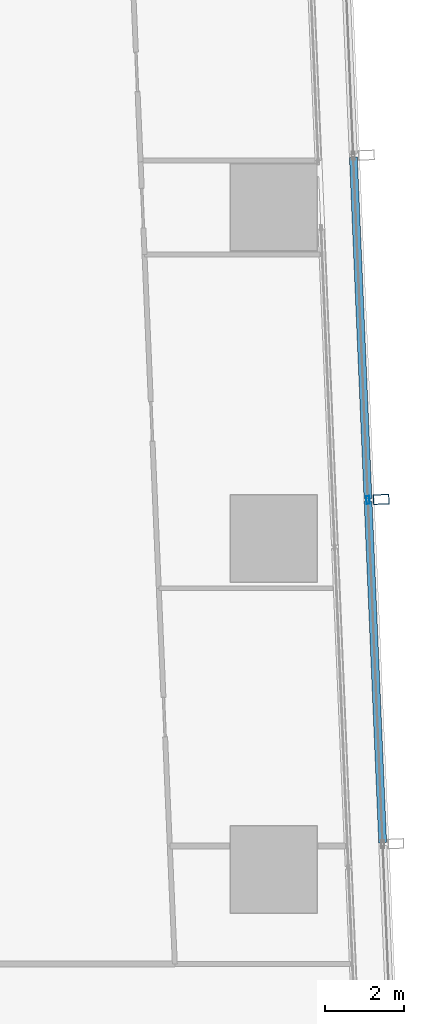
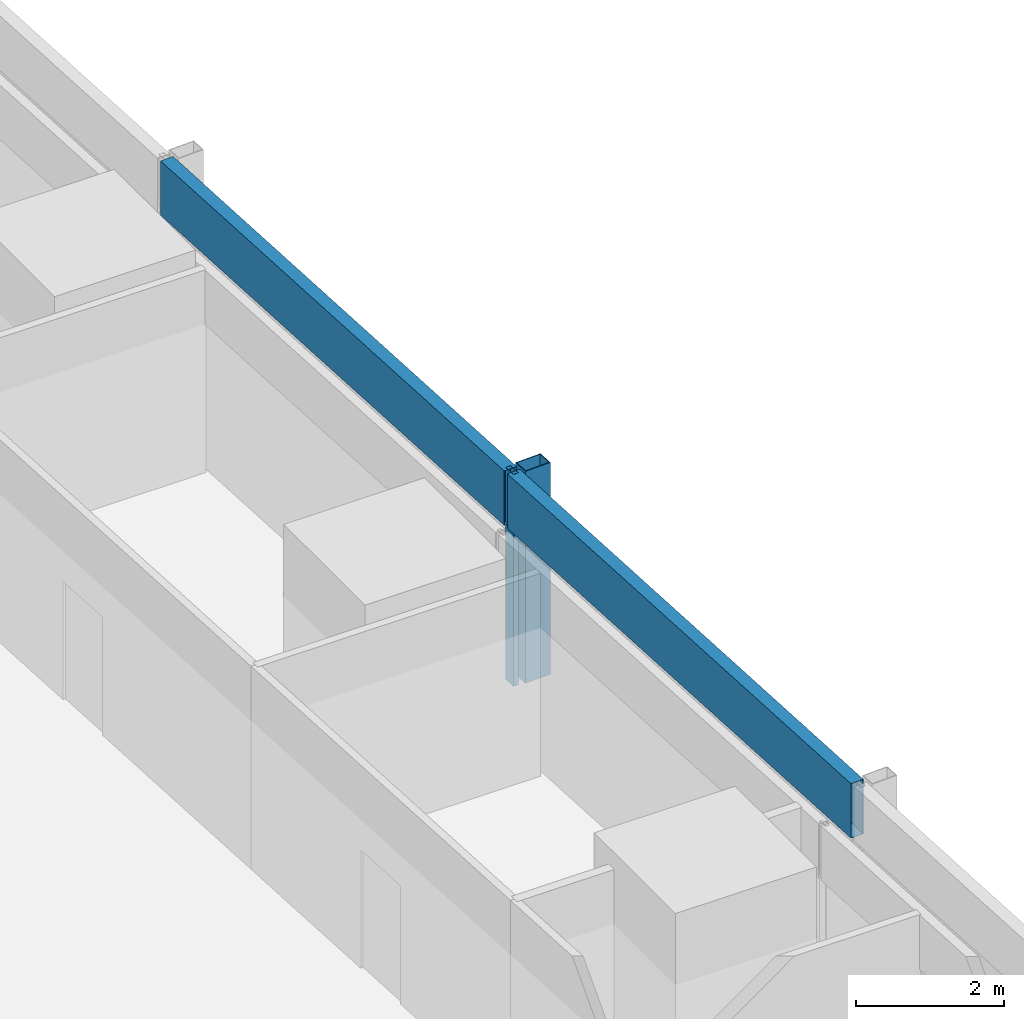
# One storey, part 28 of 45: 4 members, 1 element without a shape of its own.
"""IFC4 building model written with IfcOpenShell, lengths in metres."""

from ifc_helpers import new_model, si_unit, direction, frame, origin, origin_2d, place, context, subcontext, project, spatial, hollow_rectangle, extrude, material, material_profile, profile_set, type_object, element, aggregate, save


model = new_model("IFC4")

# Units and contexts
model_context = context("Model", 3, precision=1e-05, world=origin(), true_north=direction((0.0, 1.0)))
body_context = subcontext(model_context, "Body", "Model", "MODEL_VIEW")
ifc_project = project(units=[si_unit("LENGTHUNIT", "METRE"), si_unit("AREAUNIT", "SQUARE_METRE"), si_unit("VOLUMEUNIT", "CUBIC_METRE"), si_unit("PLANEANGLEUNIT", "RADIAN"), si_unit("MASSUNIT", "GRAM", prefix="KILO")], contexts=[model_context])

# Site, building, storey
site_placement = place(None, origin())
site = spatial("IfcSite", under=ifc_project, at=site_placement, CompositionType="ELEMENT")
building_placement = place(site_placement, origin())
building = spatial("IfcBuilding", under=site, at=building_placement, Name="Rekha Terrace Tower", CompositionType="ELEMENT")
storey_placement = place(building_placement, frame((0.0, 0.0, 36.64990234375)))
storey = spatial("IfcBuildingStorey", under=building, at=storey_placement, Name="L08", CompositionType="ELEMENT", Elevation=36.64990234375)

# Curtain wall, members
ifc_material_1 = material(Name="Aluminium framing", Category="aluminium")
curtain_wall_type = type_object("IfcCurtainWallType", Name="CW2 double skin outer glazing", PredefinedType="USERDEFINED", material=ifc_material_1)
curtain_wall_placement = place(storey_placement, origin())
curtain_wall = element("IfcCurtainWall", 1, at=curtain_wall_placement, inside=storey, type_object=curtain_wall_type, Name="CW2 double skin outer glazing", ObjectType="DOUBLE SKIN OUTER GLAZING", PredefinedType="USERDEFINED")
ifc_material_2 = material(Name="Steel S355 with fluorocarbon finish", Category="steel")
ifc_material_profile_1 = material_profile(ifc_material_2, hollow_rectangle(XDim=0.25, YDim=0.39990234375, WallThickness=0.012451171875, at=origin_2d()), Name="RHS400x250x12.5")
ifc_profile_set_1 = profile_set([ifc_material_profile_1], Name="Steel S355 with fluorocarbon finish")
member_type_1 = type_object("IfcMemberType", Name="BL1 facade blade RHS 400 x 250", PredefinedType="USERDEFINED", material=ifc_profile_set_1)
member_1_placement = place(storey_placement, frame((69.927734375, 42.989013671875, 0.0), z_axis=(0.0, 0.0, 1.0), x_axis=(-0.04269522475, 0.99908814315, 0.0)))
member_1 = element("IfcMember", 2, at=member_1_placement, type_object=member_type_1, Name="Facade blade", ObjectType="FACADE BLADE", PredefinedType="USERDEFINED", context=body_context, shape_type="SweptSolid", body=[
    extrude(hollow_rectangle(XDim=0.25, YDim=0.39990234375, WallThickness=0.012451171875, at=origin_2d()), origin(), (0.0, 0.0, 1.0), 3.5),
])
ifc_material_3 = material(Name="Aluminium mullion section", Category="aluminium")
ifc_material_profile_2 = material_profile(ifc_material_3, hollow_rectangle(XDim=0.080078125, YDim=0.199951171875, WallThickness=0.00390625, at=origin_2d()), Name="AL RHS 80x200")
ifc_profile_set_2 = profile_set([ifc_material_profile_2], Name="Aluminium mullion section")
member_type_2 = type_object("IfcMemberType", Name="CW2 mullion RHS 80 x 200", PredefinedType="MULLION", material=ifc_profile_set_2)
member_2_placement = place(storey_placement, frame((69.593017578125, 42.974609375, 0.0), z_axis=(0.0, 0.0, 1.0), x_axis=(-0.999088106903, -0.042696072956, 0.0)))
member_2 = element("IfcMember", 3, at=member_2_placement, type_object=member_type_2, Name="CW2 mullion 3", PredefinedType="MULLION", context=body_context, shape_type="SweptSolid", body=[
    extrude(hollow_rectangle(XDim=0.080078125, YDim=0.199951171875, WallThickness=0.00390625, at=origin_2d()), origin(), (0.0, 0.0, 1.0), 3.5),
])
ifc_material_4 = material(Name="Insulated aluminium spandrel box", Category="aluminium")
ifc_material_profile_3 = material_profile(ifc_material_4, hollow_rectangle(XDim=0.199951171875, YDim=0.89990234375, WallThickness=0.0029296875, at=origin_2d()), Name="AL SPANDREL BOX 200x900")
ifc_profile_set_3 = profile_set([ifc_material_profile_3], Name="Insulated aluminium spandrel box")
member_type_3 = type_object("IfcMemberType", Name="CW2 spandrel transom 200 x 900", PredefinedType="USERDEFINED", material=ifc_profile_set_3)
member_3_placement = place(storey_placement, frame((69.964599609375, 34.27880859375, 3.050048828125), z_axis=(-0.042692466729, 0.999088261008, 0.0), x_axis=(-0.999088261008, -0.042692466729, 0.0)))
member_3 = element("IfcMember", 4, at=member_3_placement, type_object=member_type_3, Name="CW2 spandrel transom 2", ObjectType="TRANSOM", PredefinedType="USERDEFINED", context=body_context, shape_type="SweptSolid", body=[
    extrude(hollow_rectangle(XDim=0.199951171875, YDim=0.89990234375, WallThickness=0.0029296875, at=origin_2d()), origin(), (0.0, 0.0, 1.0), 8.66357421875),
])
member_4_placement = place(storey_placement, frame((69.59130859375, 43.014404296875, 3.050048828125), z_axis=(-0.042691264793, 0.999088312368, 0.0), x_axis=(-0.999088312368, -0.042691264793, 0.0)))
member_4 = element("IfcMember", 5, at=member_4_placement, type_object=member_type_3, Name="CW2 spandrel transom 3", ObjectType="TRANSOM", PredefinedType="USERDEFINED", context=body_context, shape_type="SweptSolid", body=[
    extrude(hollow_rectangle(XDim=0.199951171875, YDim=0.89990234375, WallThickness=0.0029296875, at=origin_2d()), origin(), (0.0, 0.0, 1.0), 8.663818359375),
])
aggregate(curtain_wall, [member_2, member_3, member_4, member_1])

save(model, "model.ifc")
